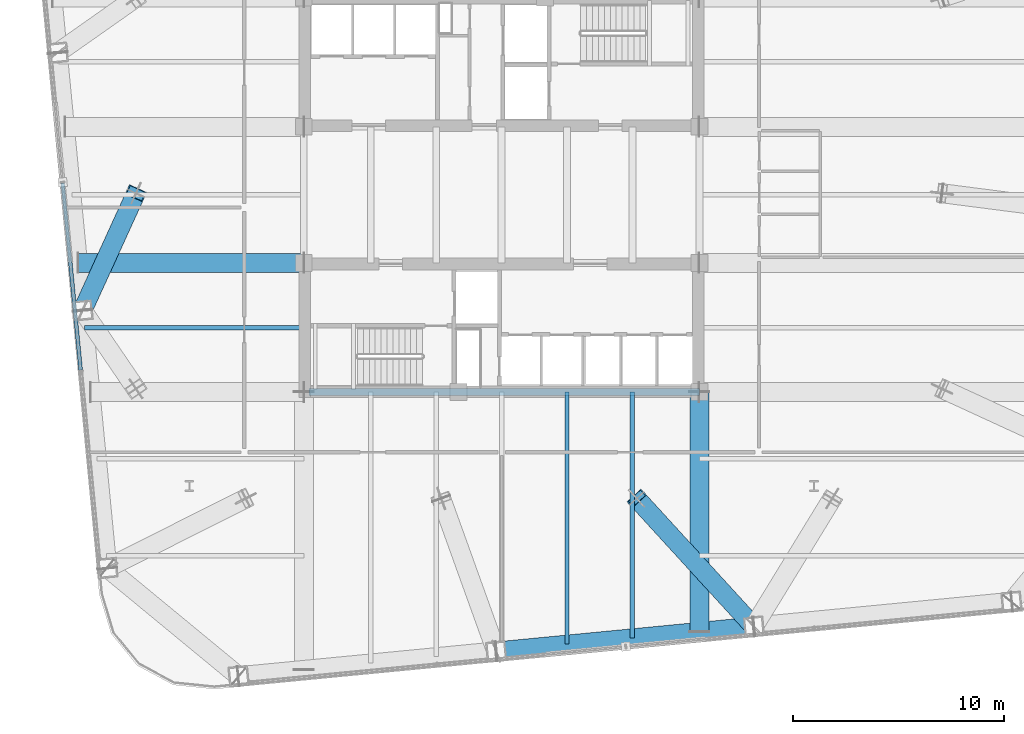
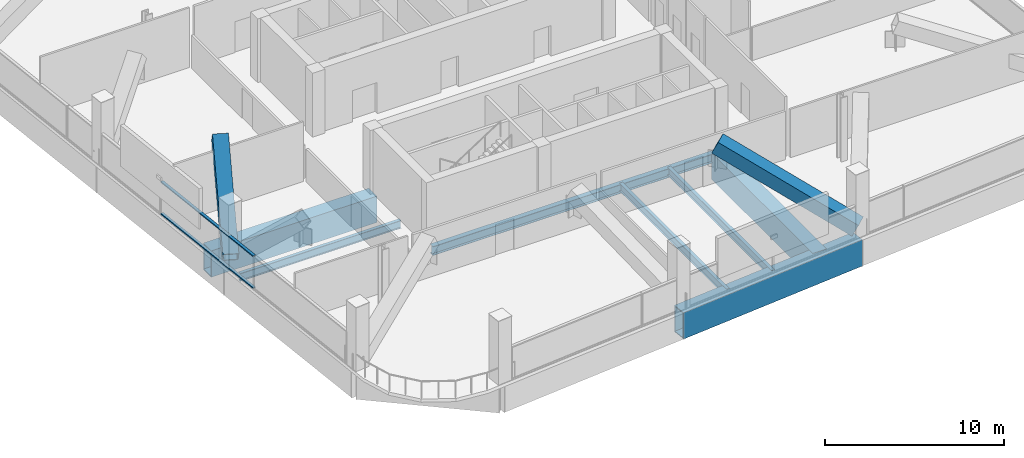
# One storey, part 6 of 30: 7 beams, 4 members, 1 element without a shape of its own.
"""IFC4 building model written with IfcOpenShell, lengths in metres."""

from ifc_helpers import new_model, si_unit, direction, frame, origin, origin_2d, place, context, subcontext, project, spatial, hollow_rectangle, i_section, extrude, material, layer, layer_set, material_profile, profile_set, type_object, element, aggregate, save


model = new_model("IFC4")

# Units and contexts
model_context = context("Model", 3, precision=1e-05, world=origin(), true_north=direction((0.0, 1.0)))
body_context = subcontext(model_context, "Body", "Model", "MODEL_VIEW")
ifc_project = project(units=[si_unit("LENGTHUNIT", "METRE"), si_unit("AREAUNIT", "SQUARE_METRE"), si_unit("VOLUMEUNIT", "CUBIC_METRE"), si_unit("PLANEANGLEUNIT", "RADIAN"), si_unit("MASSUNIT", "GRAM", prefix="KILO")], contexts=[model_context])

# Site, building, storey
site_placement = place(None, origin())
site = spatial("IfcSite", under=ifc_project, at=site_placement, CompositionType="ELEMENT")
building_placement = place(site_placement, origin())
building = spatial("IfcBuilding", under=site, at=building_placement, Name="Qhalaya Broadcast Tower", CompositionType="ELEMENT")
storey_placement = place(building_placement, frame((0.0, 0.0, 96.89990234375)))
storey = spatial("IfcBuildingStorey", under=building, at=storey_placement, Name="L28", CompositionType="ELEMENT", Elevation=96.89990234375)

# Beams
ifc_material_1 = material(Name="Structural Steel ASTM A572 Grade 50", Category="steel")
ifc_material_profile_1 = material_profile(ifc_material_1, hollow_rectangle(XDim=0.89990234375, YDim=1.800048828125, WallThickness=0.06005859375, at=origin_2d()), Name="BOX 900x1800x60")
ifc_profile_set_1 = profile_set([ifc_material_profile_1], Name="Structural Steel ASTM A572 Grade 50")
beam_type_1 = type_object("IfcBeamType", Name="Block Cantilever Transfer Box Girder TG1", PredefinedType="USERDEFINED", material=ifc_profile_set_1)
beam_1_placement = place(storey_placement, frame((-0.255126953125, -21.036865234375, -1.119873046875), z_axis=(0.99539563662, 0.095851586307, 0.0), x_axis=(-0.095851586307, 0.99539563662, 0.0)))
element("IfcBeam", 1, at=beam_1_placement, inside=storey, type_object=beam_type_1, Name="L28 TG1 L28-SPR-02", ObjectType="GIRDER", PredefinedType="USERDEFINED", context=body_context, shape_type="SweptSolid", body=[
    extrude(hollow_rectangle(XDim=0.89990234375, YDim=1.800048828125, WallThickness=0.06005859375, at=origin_2d()), origin(), (0.0, 0.0, 1.0), 12.2666015625),
])
beam_2_placement = place(storey_placement, frame((9.375, -20.089599609375, -1.119873046875), z_axis=(0.0, 1.0, 0.0), x_axis=(-1.0, 0.0, 0.0)))
element("IfcBeam", 2, at=beam_2_placement, inside=storey, type_object=beam_type_1, Name="L28 TG1 L28-PGXS2-1", ObjectType="GIRDER", PredefinedType="USERDEFINED", context=body_context, shape_type="SweptSolid", body=[
    extrude(hollow_rectangle(XDim=0.89990234375, YDim=1.800048828125, WallThickness=0.06005859375, at=origin_2d()), origin(), (0.0, 0.0, 1.0), 11.339599609375),
])
beam_3_placement = place(storey_placement, frame((-20.057861328125, -2.625, -1.119873046875), z_axis=(1.0, 0.0, 0.0), x_axis=(0.0, 1.0, 0.0)))
element("IfcBeam", 3, at=beam_3_placement, inside=storey, type_object=beam_type_1, Name="L28 TG1 L28-PGYW2-1", ObjectType="GIRDER", PredefinedType="USERDEFINED", context=body_context, shape_type="SweptSolid", body=[
    extrude(hollow_rectangle(XDim=0.89990234375, YDim=1.800048828125, WallThickness=0.06005859375, at=origin_2d()), origin(), (0.0, 0.0, 1.0), 10.682861328125),
])
ifc_material_2 = material(Name="Structural Steel ASTM A992 Grade 50", Category="steel")
ifc_material_profile_2 = material_profile(ifc_material_2, i_section(OverallWidth=0.2099609375, OverallDepth=0.535888671875, WebThickness=0.010986328125, FlangeThickness=0.017333984375, at=origin_2d()), Name="W21X68")
ifc_profile_set_2 = profile_set([ifc_material_profile_2], Name="Structural Steel ASTM A992 Grade 50")
beam_type_2 = type_object("IfcBeamType", Name="Composite Floor Joist J02", PredefinedType="JOIST", material=ifc_profile_set_2)
beam_4_placement = place(storey_placement, frame((3.10009765625, -20.693603515625, -0.48779296875), z_axis=(0.0, 1.0, 0.0), x_axis=(-1.0, 0.0, 0.0)))
element("IfcBeam", 4, at=beam_4_placement, inside=storey, type_object=beam_type_2, Name="L28 J02 L28-JNS4-1", PredefinedType="JOIST", context=body_context, shape_type="SweptSolid", body=[
    extrude(i_section(OverallWidth=0.2099609375, OverallDepth=0.535888671875, WebThickness=0.010986328125, FlangeThickness=0.017333984375, at=origin_2d()), origin(), (0.0, 0.0, 1.0), 11.943603515625),
])
beam_5_placement = place(storey_placement, frame((6.199951171875, -20.395263671875, -0.48779296875), z_axis=(0.0, 1.0, 0.0), x_axis=(-1.0, 0.0, 0.0)))
element("IfcBeam", 5, at=beam_5_placement, inside=storey, type_object=beam_type_2, Name="L28 J02 L28-JNS5-1", PredefinedType="JOIST", context=body_context, shape_type="SweptSolid", body=[
    extrude(i_section(OverallWidth=0.2099609375, OverallDepth=0.535888671875, WebThickness=0.010986328125, FlangeThickness=0.017333984375, at=origin_2d()), origin(), (0.0, 0.0, 1.0), 11.645263671875),
])
beam_6_placement = place(storey_placement, frame((-19.76171875, -5.699951171875, -0.48779296875), z_axis=(1.0, 0.0, 0.0), x_axis=(0.0, 1.0, 0.0)))
element("IfcBeam", 6, at=beam_6_placement, inside=storey, type_object=beam_type_2, Name="L28 J02 L28-JWE3W-1", PredefinedType="JOIST", context=body_context, shape_type="SweptSolid", body=[
    extrude(i_section(OverallWidth=0.2099609375, OverallDepth=0.535888671875, WebThickness=0.010986328125, FlangeThickness=0.017333984375, at=origin_2d()), origin(), (0.0, 0.0, 1.0), 10.38671875),
])
ifc_material_profile_3 = material_profile(ifc_material_2, i_section(OverallWidth=0.323974609375, OverallDepth=0.612060546875, WebThickness=0.0126953125, FlangeThickness=0.01904296875, at=origin_2d()), Name="W24X104")
ifc_profile_set_3 = profile_set([ifc_material_profile_3], Name="Structural Steel ASTM A992 Grade 50")
beam_type_3 = type_object("IfcBeamType", Name="Core Frame Tie Beam B04", PredefinedType="BEAM", material=ifc_profile_set_3)
beam_7_placement = place(storey_placement, frame((-9.1201171875, -8.75, -0.52587890625), z_axis=(1.0, 0.0, 0.0), x_axis=(0.0, 1.0, 0.0)))
element("IfcBeam", 7, at=beam_7_placement, inside=storey, type_object=beam_type_3, Name="L28 B04 L28-CCS3", PredefinedType="BEAM", context=body_context, shape_type="SweptSolid", body=[
    extrude(i_section(OverallWidth=0.323974609375, OverallDepth=0.612060546875, WebThickness=0.0126953125, FlangeThickness=0.01904296875, at=origin_2d()), origin(), (0.0, 0.0, 1.0), 18.4951171875),
])

# Members
ifc_material_profile_4 = material_profile(ifc_material_1, hollow_rectangle(XDim=0.89990234375, YDim=0.89990234375, WallThickness=0.054931640625, at=origin_2d()), Name="BOX 900x900x55")
ifc_profile_set_4 = profile_set([ifc_material_profile_4], Name="Structural Steel ASTM A572 Grade 50")
member_type_1 = type_object("IfcMemberType", Name="Heavy Exoskeleton Transfer Strut RK1", PredefinedType="BRACE", material=ifc_profile_set_4)
member_1_placement = place(storey_placement, frame((11.955078125, -19.861083984375, 0.416015625), z_axis=(-0.608810513059, 0.665755981893, 0.431414802438), x_axis=(-0.737962937179, -0.674841243071, 0.0)))
element("IfcMember", 8, at=member_1_placement, inside=storey, type_object=member_type_1, Name="L28 Inclined Exoskeleton Transfer Strut 03", PredefinedType="BRACE", context=body_context, shape_type="SweptSolid", body=[
    extrude(hollow_rectangle(XDim=0.89990234375, YDim=0.89990234375, WallThickness=0.054931640625, at=origin_2d()), origin(), (0.0, 0.0, 1.0), 9.119140625),
])
member_2_placement = place(storey_placement, frame((-19.861083984375, -4.875, 0.387451171875), z_axis=(0.347888325096, 0.763092554517, 0.544668216902), x_axis=(-0.909904112386, 0.414818642617, 0.0)))
element("IfcMember", 9, at=member_2_placement, inside=storey, type_object=member_type_1, Name="L28 Inclined Exoskeleton Transfer Strut 15", PredefinedType="BRACE", context=body_context, shape_type="SweptSolid", body=[
    extrude(hollow_rectangle(XDim=0.89990234375, YDim=0.89990234375, WallThickness=0.054931640625, at=origin_2d()), origin(), (0.0, 0.0, 1.0), 7.275390625),
])

# Curtain wall, members
ifc_material_3 = material(Name="Fired Architectural Terracotta", Category="masonry")
ifc_layer = layer(ifc_material_3, 0.219970703125, Name="Fired Architectural Terracotta")
ifc_layer_set = layer_set([ifc_layer], Name="Fired Architectural Terracotta")
curtain_wall_type = type_object("IfcCurtainWallType", Name="Block-Cap Unitised Terracotta Spandrel Wall CW-07", PredefinedType="NOTDEFINED", material=ifc_layer_set)
curtain_wall_placement = place(storey_placement, origin())
curtain_wall = element("IfcCurtainWall", 10, at=curtain_wall_placement, inside=storey, type_object=curtain_wall_type, Name="L28 Unitised Curtain Wall L28-CW-W", PredefinedType="NOTDEFINED")
ifc_material_4 = material(Name="Anodised Aluminium 6063-T6", Category="aluminium")
ifc_material_profile_5 = material_profile(ifc_material_4, hollow_rectangle(XDim=0.074951171875, YDim=0.179931640625, WallThickness=0.00390625, at=origin_2d()), Name="ALU-TRN 75x180x4")
ifc_profile_set_5 = profile_set([ifc_material_profile_5], Name="Anodised Aluminium 6063-T6")
member_type_2 = type_object("IfcMemberType", Name="Unitised Curtain-Wall Transom T01", PredefinedType="USERDEFINED", material=ifc_profile_set_5)
member_3_placement = place(storey_placement, frame((-19.9501953125, -7.706787109375, 0.03759765625), z_axis=(-0.095836201822, 0.995397117949, 0.0), x_axis=(0.0, 0.0, 1.0)))
member_3 = element("IfcMember", 11, at=member_3_placement, type_object=member_type_2, Name="CW-07 transom 2.1", ObjectType="TRANSOM", PredefinedType="USERDEFINED", context=body_context, shape_type="SweptSolid", body=[
    extrude(hollow_rectangle(XDim=0.074951171875, YDim=0.179931640625, WallThickness=0.00390625, at=origin_2d()), origin(), (0.0, 0.0, 1.0), 8.906005859375),
])
member_4_placement = place(storey_placement, frame((-19.9501953125, -7.706787109375, 2.212646484375), z_axis=(-0.095836201822, 0.995397117949, 0.0), x_axis=(0.0, 0.0, 1.0)))
member_4 = element("IfcMember", 12, at=member_4_placement, type_object=member_type_2, Name="CW-07 transom 2.2", ObjectType="TRANSOM", PredefinedType="USERDEFINED", context=body_context, shape_type="SweptSolid", body=[
    extrude(hollow_rectangle(XDim=0.074951171875, YDim=0.179931640625, WallThickness=0.00390625, at=origin_2d()), origin(), (0.0, 0.0, 1.0), 8.906005859375),
])
aggregate(curtain_wall, [member_3, member_4])

save(model, "model.ifc")
